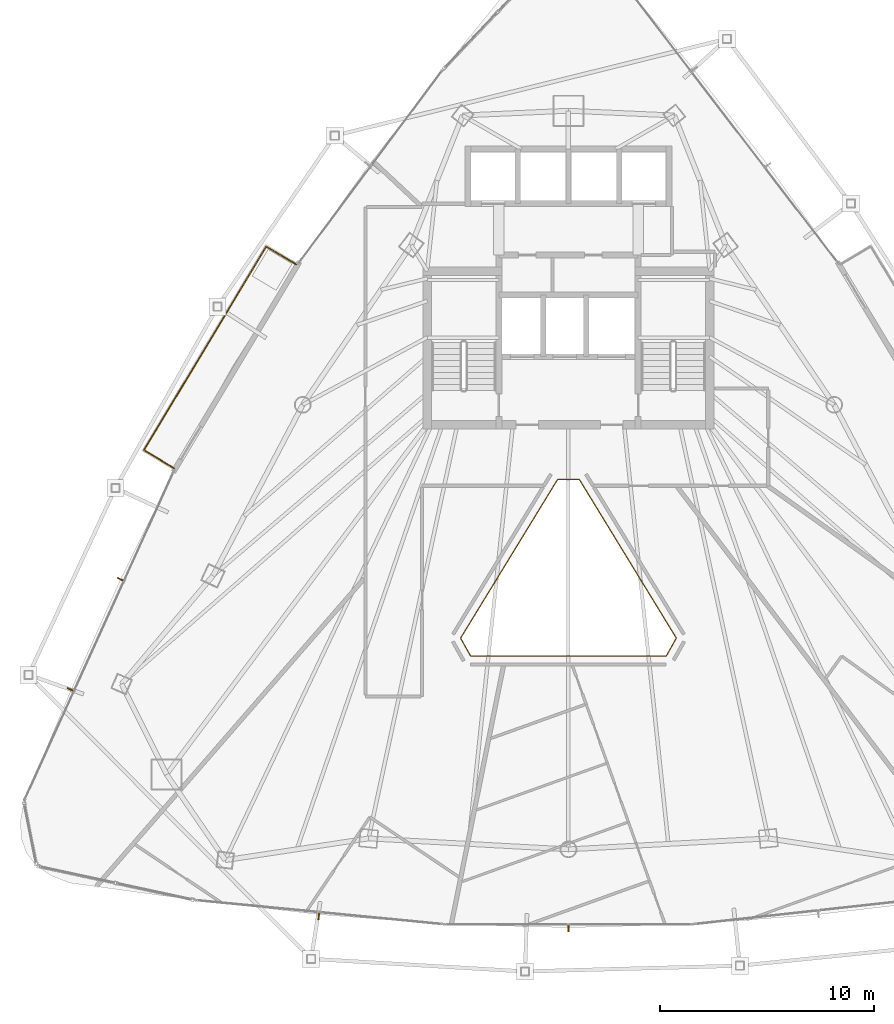
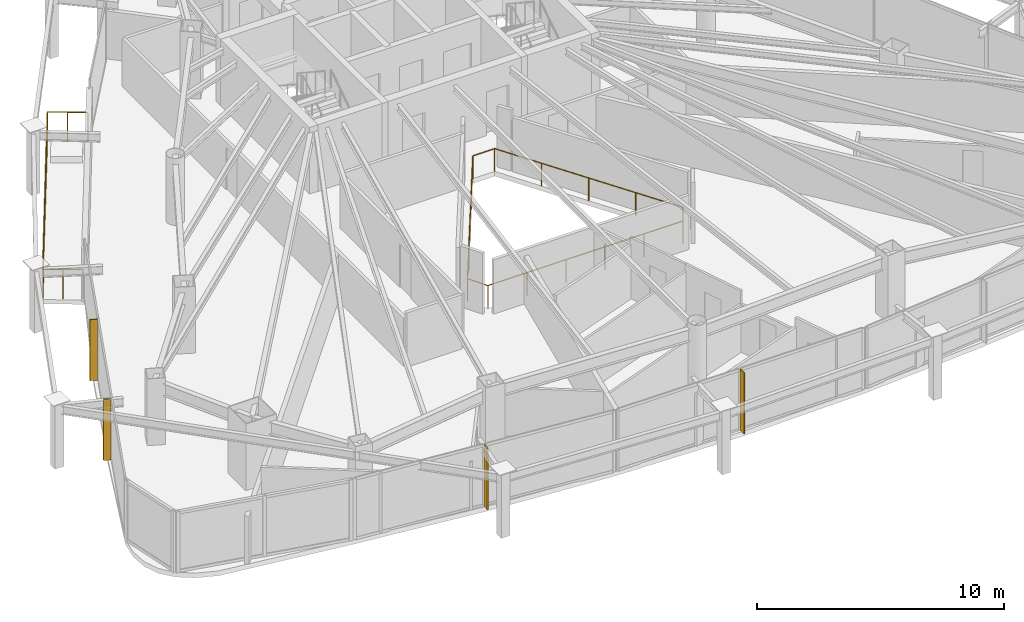
# One storey, part 28 of 30: 4 shading devices, 2 railings.
"""IFC4 building model written with IfcOpenShell, lengths in metres."""

from ifc_helpers import new_model, si_unit, direction, frame, origin, origin_2d, place, context, subcontext, project, spatial, rectangle, circle, extrude, material, layer, layer_set, type_object, element, save


model = new_model("IFC4")

# Units and contexts
model_context = context("Model", 3, precision=1e-05, world=origin(), true_north=direction((0.0, 1.0)))
body_context = subcontext(model_context, "Body", "Model", "MODEL_VIEW")
ifc_project = project(units=[si_unit("LENGTHUNIT", "METRE"), si_unit("AREAUNIT", "SQUARE_METRE"), si_unit("VOLUMEUNIT", "CUBIC_METRE"), si_unit("PLANEANGLEUNIT", "RADIAN"), si_unit("MASSUNIT", "GRAM", prefix="KILO")], contexts=[model_context])

# Site, building, storey
site_placement = place(None, origin())
site = spatial("IfcSite", under=ifc_project, at=site_placement, CompositionType="ELEMENT")
building_placement = place(site_placement, origin())
building = spatial("IfcBuilding", under=site, at=building_placement, Name="Orvanel Arch Residences", CompositionType="ELEMENT")
storey_placement = place(building_placement, frame((0.0, 0.0, 143.0)))
storey = spatial("IfcBuildingStorey", under=building, at=storey_placement, Name="L40", CompositionType="ELEMENT", Elevation=143.0)

# Shading devices
ifc_material = material(Name="Bronze-anodised aluminium AA6063-T6", Category="aluminium")
ifc_layer = layer(ifc_material, 0.054931640625)
ifc_layer_set = layer_set([ifc_layer], Name="Bronze-anodised aluminium AA6063-T6")
shading_device_type = type_object("IfcShadingDeviceType", Name="FIN-BRZ-320", PredefinedType="USERDEFINED", material=ifc_layer_set)
for number, where, z_axis, x_axis, name in (
    (1, (12.0390625, 19.48193359375, 0.0), (0.0, 0.0, 1.0), (-0.910683660806, 0.413104429825, 0.0), "L40 Anodised Bronze Mullion FIN 01"),
    (2, (9.697998046875, 14.327880859375, 0.0), (0.0, 0.0, 1.0), (-0.910683660806, 0.413104429825, 0.0), "L40 Anodised Bronze Mullion FIN 02"),
    (3, (21.320068359375, 3.717041015625, 0.0), (0.0, 0.0, 1.0), (-0.09584575252, -0.995396198367, 0.0), "L40 Anodised Bronze Mullion FIN 01"),
    (4, (33.0, 3.14990234375, 0.0), (0.0, 0.0, 1.0), (0.0, -1.0, 0.0), "L40 Anodised Bronze Mullion FIN 01"),
):
    element("IfcShadingDevice", number, at=place(storey_placement, frame(where, z_axis=z_axis, x_axis=x_axis)), inside=storey, type_object=shading_device_type, Name=name, ObjectType="FIN", PredefinedType="USERDEFINED", context=body_context, shape_type="SweptSolid", body=[
        extrude(rectangle(XDim=0.320068359375, YDim=0.054931640625, at=origin_2d()), origin(), (0.0, 0.0, 1.0), 3.02001953125),
    ])

# Railings
railing_type_1 = type_object("IfcRailingType", Name="RL-ATR-1150", PredefinedType="BALUSTRADE", material=ifc_material)
railing_1_placement = place(storey_placement, frame((33.510986328125, 24.138916015625, 0.0)))
element("IfcRailing", 5, at=railing_1_placement, inside=storey, type_object=railing_type_1, Name="L40 Atrium Void Protective Balustrade", PredefinedType="BALUSTRADE", context=body_context, shape_type="SweptSolid", body=[
    extrude(circle(Radius=0.02392578125, at=origin_2d()), frame((-0.00146484375, 0.0, 1.1259765625), z_axis=(-1.0, 0.0, 0.0), x_axis=(0.0, -1.0, 0.0)), (0.0, 0.0, 1.0), 1.01904296875),
    extrude(circle(Radius=0.02392578125, at=origin_2d()), frame((-1.022705078125, -0.001220703125, 1.1259765625), z_axis=(-0.521578460024, -0.853203322801, 0.0), x_axis=(0.853203322801, -0.521578460024, 0.0)), (0.0, 0.0, 1.0), 8.68408203125),
    extrude(circle(Radius=0.02392578125, at=origin_2d()), frame((-5.55224609375, -7.4130859375, 1.1259765625), z_axis=(0.488518007853, -0.872553812669, 0.0), x_axis=(0.872553812669, 0.488518007853, 0.0)), (0.0, 0.0, 1.0), 0.955078125),
    extrude(circle(Radius=0.02392578125, at=origin_2d()), frame((-5.08349609375, -8.247802734375, 1.1259765625), z_axis=(1.0, 0.0, 0.0), x_axis=(0.0, 1.0, 0.0)), (0.0, 0.0, 1.0), 9.14501953125),
    extrude(circle(Radius=0.02392578125, at=origin_2d()), frame((4.063720703125, -8.24658203125, 1.1259765625), z_axis=(0.488518007853, 0.872553812669, 0.0), x_axis=(-0.872553812669, 0.488518007853, 0.0)), (0.0, 0.0, 1.0), 0.955078125),
    extrude(circle(Radius=0.02392578125, at=origin_2d()), frame((4.5302734375, -7.41064453125, 1.1259765625), z_axis=(-0.521578460024, 0.853203322801, 0.0), x_axis=(-0.853203322801, -0.521578460024, 0.0)), (0.0, 0.0, 1.0), 8.68408203125),
    extrude(circle(Radius=0.02099609375, at=origin_2d()), origin(), (0.0, 0.0, 1.0), 1.099853515625),
    extrude(circle(Radius=0.02099609375, at=origin_2d()), frame((-1.02197265625, 0.0, 0.0)), (0.0, 0.0, 1.0), 1.099853515625),
    extrude(circle(Radius=0.02099609375, at=origin_2d()), frame((-2.15478515625, -1.85302734375, 0.0)), (0.0, 0.0, 1.0), 1.099853515625),
    extrude(circle(Radius=0.02099609375, at=origin_2d()), frame((-3.28759765625, -3.7060546875, 0.0)), (0.0, 0.0, 1.0), 1.099853515625),
    extrude(circle(Radius=0.02099609375, at=origin_2d()), frame((-4.420166015625, -5.558837890625, 0.0)), (0.0, 0.0, 1.0), 1.099853515625),
    extrude(circle(Radius=0.02099609375, at=origin_2d()), frame((-5.552978515625, -7.411865234375, 0.0)), (0.0, 0.0, 1.0), 1.099853515625),
    extrude(circle(Radius=0.02099609375, at=origin_2d()), frame((-5.0849609375, -8.247802734375, 0.0)), (0.0, 0.0, 1.0), 1.099853515625),
    extrude(circle(Radius=0.02099609375, at=origin_2d()), frame((-3.25537109375, -8.247802734375, 0.0)), (0.0, 0.0, 1.0), 1.099853515625),
    extrude(circle(Radius=0.02099609375, at=origin_2d()), frame((-1.42578125, -8.247802734375, 0.0)), (0.0, 0.0, 1.0), 1.099853515625),
    extrude(circle(Radius=0.02099609375, at=origin_2d()), frame((0.40380859375, -8.247802734375, 0.0)), (0.0, 0.0, 1.0), 1.099853515625),
    extrude(circle(Radius=0.02099609375, at=origin_2d()), frame((2.2333984375, -8.247802734375, 0.0)), (0.0, 0.0, 1.0), 1.099853515625),
    extrude(circle(Radius=0.02099609375, at=origin_2d()), frame((4.06298828125, -8.247802734375, 0.0)), (0.0, 0.0, 1.0), 1.099853515625),
    extrude(circle(Radius=0.02099609375, at=origin_2d()), frame((4.531005859375, -7.411865234375, 0.0)), (0.0, 0.0, 1.0), 1.099853515625),
    extrude(circle(Radius=0.02099609375, at=origin_2d()), frame((3.398193359375, -5.558837890625, 0.0)), (0.0, 0.0, 1.0), 1.099853515625),
    extrude(circle(Radius=0.02099609375, at=origin_2d()), frame((2.265625, -3.7060546875, 0.0)), (0.0, 0.0, 1.0), 1.099853515625),
    extrude(circle(Radius=0.02099609375, at=origin_2d()), frame((1.1328125, -1.85302734375, 0.0)), (0.0, 0.0, 1.0), 1.099853515625),
])
railing_type_2 = type_object("IfcRailingType", Name="RL-BAL-1480", PredefinedType="BALUSTRADE", material=ifc_material)
railing_2_placement = place(storey_placement, frame((20.264892578125, 34.205078125, 0.0)))
element("IfcRailing", 6, at=railing_2_placement, inside=storey, type_object=railing_type_2, Name="L40 Balcony Perimeter Guardrail Face 1", PredefinedType="BALUSTRADE", context=body_context, shape_type="SweptSolid", body=[
    extrude(circle(Radius=0.02392578125, at=origin_2d()), frame((-0.001220703125, 0.000732421875, 1.4560546875), z_axis=(-0.857387817543, 0.514670895164, 0.0), x_axis=(-0.514670895164, -0.857387817543, 0.0)), (0.0, 0.0, 1.0), 1.636962890625),
    extrude(circle(Radius=0.02392578125, at=origin_2d()), frame((-1.40673828125, 0.8427734375, 1.4560546875), z_axis=(-0.514414986508, -0.857541381891, 0.0), x_axis=(0.857541381891, -0.514414986508, 0.0)), (0.0, 0.0, 1.0), 11.110107421875),
    extrude(circle(Radius=0.02392578125, at=origin_2d()), frame((-7.12158203125, -8.686767578125, 1.4560546875), z_axis=(0.857545439568, -0.514408222208, 0.0), x_axis=(0.514408222208, 0.857545439568, 0.0)), (0.0, 0.0, 1.0), 1.6376953125),
    extrude(circle(Radius=0.02099609375, at=origin_2d()), origin(), (0.0, 0.0, 1.0), 1.429931640625),
    extrude(circle(Radius=0.02099609375, at=origin_2d()), frame((-0.703125, 0.421875, 0.0)), (0.0, 0.0, 1.0), 1.429931640625),
    extrude(circle(Radius=0.02099609375, at=origin_2d()), frame((-1.406005859375, 0.843994140625, 0.0)), (0.0, 0.0, 1.0), 1.429931640625),
    extrude(circle(Radius=0.02099609375, at=origin_2d()), frame((-1.977783203125, -0.10888671875, 0.0)), (0.0, 0.0, 1.0), 1.429931640625),
    extrude(circle(Radius=0.02099609375, at=origin_2d()), frame((-2.54931640625, -1.06201171875, 0.0)), (0.0, 0.0, 1.0), 1.429931640625),
    extrude(circle(Radius=0.02099609375, at=origin_2d()), frame((-3.12109375, -2.01513671875, 0.0)), (0.0, 0.0, 1.0), 1.429931640625),
    extrude(circle(Radius=0.02099609375, at=origin_2d()), frame((-3.692626953125, -2.968017578125, 0.0)), (0.0, 0.0, 1.0), 1.429931640625),
    extrude(circle(Radius=0.02099609375, at=origin_2d()), frame((-4.264404296875, -3.9208984375, 0.0)), (0.0, 0.0, 1.0), 1.429931640625),
    extrude(circle(Radius=0.02099609375, at=origin_2d()), frame((-4.836181640625, -4.8740234375, 0.0)), (0.0, 0.0, 1.0), 1.429931640625),
    extrude(circle(Radius=0.02099609375, at=origin_2d()), frame((-5.40771484375, -5.8271484375, 0.0)), (0.0, 0.0, 1.0), 1.429931640625),
    extrude(circle(Radius=0.02099609375, at=origin_2d()), frame((-5.9794921875, -6.780029296875, 0.0)), (0.0, 0.0, 1.0), 1.429931640625),
    extrude(circle(Radius=0.02099609375, at=origin_2d()), frame((-6.551025390625, -7.73291015625, 0.0)), (0.0, 0.0, 1.0), 1.429931640625),
    extrude(circle(Radius=0.02099609375, at=origin_2d()), frame((-7.122802734375, -8.68603515625, 0.0)), (0.0, 0.0, 1.0), 1.429931640625),
    extrude(circle(Radius=0.02099609375, at=origin_2d()), frame((-6.41943359375, -9.10791015625, 0.0)), (0.0, 0.0, 1.0), 1.429931640625),
    extrude(circle(Radius=0.02099609375, at=origin_2d()), frame((-5.7158203125, -9.530029296875, 0.0)), (0.0, 0.0, 1.0), 1.429931640625),
])

save(model, "model.ifc")
